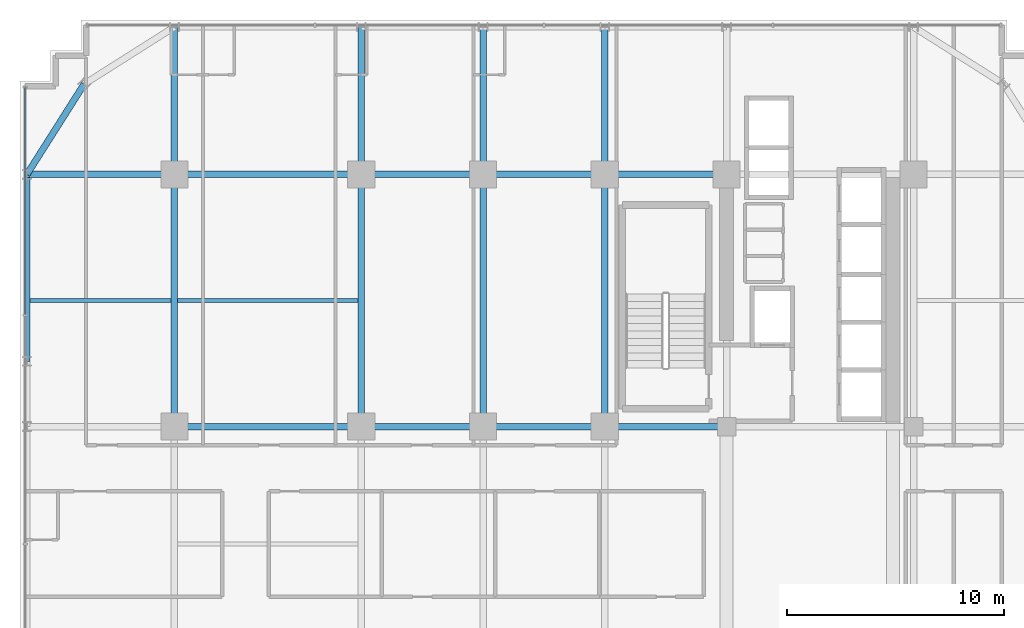
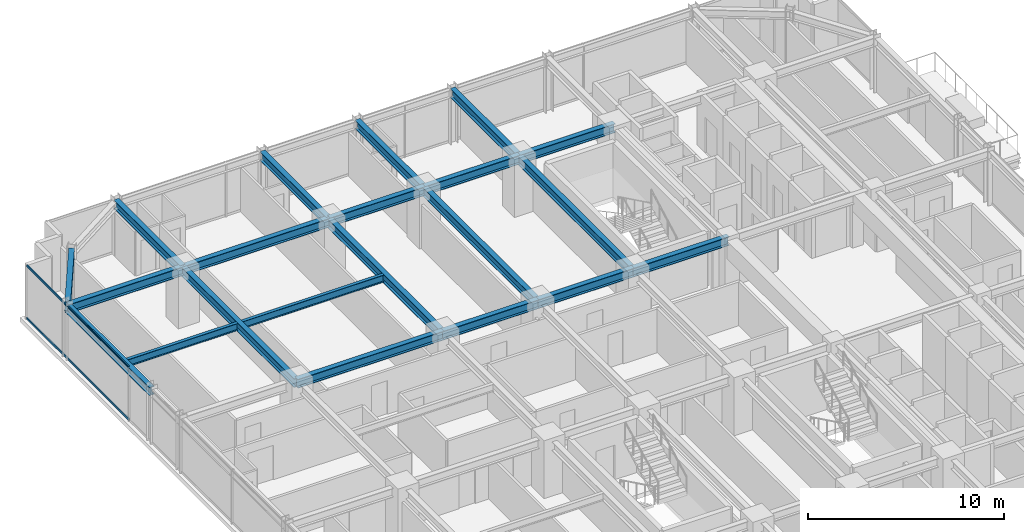
# One storey, part 18 of 33: 21 beams, 2 members, 1 element without a shape of its own.
"""IFC4 building model written with IfcOpenShell, lengths in metres."""

from ifc_helpers import new_model, si_unit, direction, frame, origin, origin_2d, place, context, subcontext, project, spatial, hollow_rectangle, i_section, extrude, source, transform, mapped, material, material_profile, profile_set, type_object, element, aggregate, save


model = new_model("IFC4")

# Units and contexts
model_context = context("Model", 3, precision=1e-05, world=origin(), true_north=direction((0.0, 1.0)))
body_context = subcontext(model_context, "Body", "Model", "MODEL_VIEW")
ifc_project = project(units=[si_unit("LENGTHUNIT", "METRE"), si_unit("AREAUNIT", "SQUARE_METRE"), si_unit("VOLUMEUNIT", "CUBIC_METRE"), si_unit("PLANEANGLEUNIT", "RADIAN"), si_unit("MASSUNIT", "GRAM", prefix="KILO")], contexts=[model_context])

# Site, building, storey
site_placement = place(None, origin())
site = spatial("IfcSite", under=ifc_project, at=site_placement, CompositionType="ELEMENT")
building_placement = place(site_placement, origin())
building = spatial("IfcBuilding", under=site, at=building_placement, Name="Nahalor Promenade Grand Hotel", CompositionType="ELEMENT")
storey_placement = place(building_placement, frame((0.0, 0.0, 132.10009765625)))
storey = spatial("IfcBuildingStorey", under=building, at=storey_placement, Name="L33", CompositionType="ELEMENT", Elevation=132.10009765625)

# Beams
ifc_material_1 = material(Name="Steel S355JR", Category="steel")
ifc_material_profile_1 = material_profile(ifc_material_1, i_section(OverallWidth=0.3, OverallDepth=0.5, WebThickness=0.0145, FlangeThickness=0.028, at=origin_2d()), Name="HEB 500")
ifc_profile_set_1 = profile_set([ifc_material_profile_1], Name="Steel S355JR")
beam_type_1 = type_object("IfcBeamType", Name="Beam-Spandrel-HEB500", PredefinedType="SPANDREL", material=ifc_profile_set_1)
shared_shape_1 = source(origin(), body_context, "Body", "SweptSolid", [
    extrude(i_section(OverallWidth=0.3, OverallDepth=0.5, WebThickness=0.0145, FlangeThickness=0.028, at=origin_2d()), origin(), (0.0, 0.0, 1.0), 8.60009765625),
])
beam_1_placement = place(storey_placement, frame((-23.780029296875, 8.39990234375, 3.1298828125), z_axis=(0.0, 1.0, 0.0), x_axis=(-1.0, 0.0, 0.0)))
element("IfcBeam", 1, at=beam_1_placement, inside=storey, type_object=beam_type_1, Name="BM-L33-SP-W-4", PredefinedType="SPANDREL", context=body_context, shape_type="MappedRepresentation", body=[
    mapped(shared_shape_1, transform((0.0, 0.0, 0.0), scale=1.0)),
])
shared_shape_2 = source(origin(), body_context, "Body", "SweptSolid", [
    extrude(i_section(OverallWidth=0.3, OverallDepth=0.5, WebThickness=0.0145, FlangeThickness=0.028, at=origin_2d()), origin(), (0.0, 0.0, 1.0), 4.9130859375),
])
beam_2_placement = place(storey_placement, frame((-21.14990234375, 21.14990234375, 3.1298828125), z_axis=(-0.535321591403, -0.844648325505, 0.0), x_axis=(0.844648325505, -0.535321591403, 0.0)))
element("IfcBeam", 2, at=beam_2_placement, inside=storey, type_object=beam_type_1, Name="BM-L33-SPC-NW-2", PredefinedType="SPANDREL", context=body_context, shape_type="MappedRepresentation", body=[
    mapped(shared_shape_2, transform((0.0, 0.0, 0.0), scale=1.0)),
])
ifc_material_profile_2 = material_profile(ifc_material_1, i_section(OverallWidth=0.3, OverallDepth=0.55, WebThickness=0.015, FlangeThickness=0.029, at=origin_2d()), Name="HEB 550")
ifc_profile_set_2 = profile_set([ifc_material_profile_2], Name="Steel S355JR")
beam_type_2 = type_object("IfcBeamType", Name="Beam-Girder-HEB550", PredefinedType="BEAM", material=ifc_profile_set_2)
shared_shape_3 = source(origin(), body_context, "Body", "SweptSolid", [
    extrude(i_section(OverallWidth=0.3, OverallDepth=0.55, WebThickness=0.015, FlangeThickness=0.029, at=origin_2d()), origin(), (0.0, 0.0, 1.0), 6.780029296875),
])
for number, where, z_axis, x_axis, name in (
    (3, (-23.780029296875, 17.0, 3.10498046875), (1.0, 0.0, 0.0), (0.0, 1.0, 0.0), "BM-L33-GX-3-0"),
    (4, (-17.0, 17.0, 3.10498046875), (0.0, 1.0, 0.0), (-1.0, 0.0, 0.0), "BM-L33-GY-0-4"),
    (5, (-8.39990234375, 17.0, 3.10498046875), (0.0, 1.0, 0.0), (-1.0, 0.0, 0.0), "BM-L33-GY-1-4"),
    (6, (-2.800048828125, 17.0, 3.10498046875), (0.0, 1.0, 0.0), (-1.0, 0.0, 0.0), "BM-L33-GY-2-4"),
    (7, (2.800048828125, 17.0, 3.10498046875), (0.0, 1.0, 0.0), (-1.0, 0.0, 0.0), "BM-L33-GY-3-4"),
):
    element("IfcBeam", number, at=place(storey_placement, frame(where, z_axis=z_axis, x_axis=x_axis)), inside=storey, type_object=beam_type_2, Name=name, PredefinedType="BEAM", context=body_context, shape_type="MappedRepresentation", body=[
        mapped(shared_shape_3, transform((0.0, 0.0, 0.0), scale=1.0)),
    ])
shared_shape_4 = source(origin(), body_context, "Body", "SweptSolid", [
    extrude(i_section(OverallWidth=0.3, OverallDepth=0.55, WebThickness=0.015, FlangeThickness=0.029, at=origin_2d()), origin(), (0.0, 0.0, 1.0), 8.60009765625),
])
for number, where, z_axis, x_axis, name in (
    (8, (-17.0, 5.39990234375, 3.10498046875), (1.0, 0.0, 0.0), (0.0, 1.0, 0.0), "BM-L33-GX-2-1"),
    (9, (-17.0, 17.0, 3.10498046875), (1.0, 0.0, 0.0), (0.0, 1.0, 0.0), "BM-L33-GX-3-1"),
):
    element("IfcBeam", number, at=place(storey_placement, frame(where, z_axis=z_axis, x_axis=x_axis)), inside=storey, type_object=beam_type_2, Name=name, PredefinedType="BEAM", context=body_context, shape_type="MappedRepresentation", body=[
        mapped(shared_shape_4, transform((0.0, 0.0, 0.0), scale=1.0)),
    ])
shared_shape_5 = source(origin(), body_context, "Body", "SweptSolid", [
    extrude(i_section(OverallWidth=0.3, OverallDepth=0.55, WebThickness=0.015, FlangeThickness=0.029, at=origin_2d()), origin(), (0.0, 0.0, 1.0), 5.599853515625),
])
for number, where, z_axis, x_axis, name in (
    (10, (-8.39990234375, 5.39990234375, 3.10498046875), (1.0, 0.0, 0.0), (0.0, 1.0, 0.0), "BM-L33-GX-2-2"),
    (11, (2.800048828125, 5.39990234375, 3.10498046875), (1.0, 0.0, 0.0), (0.0, 1.0, 0.0), "BM-L33-GX-2-4"),
    (12, (-8.39990234375, 17.0, 3.10498046875), (1.0, 0.0, 0.0), (0.0, 1.0, 0.0), "BM-L33-GX-3-2"),
    (13, (2.800048828125, 17.0, 3.10498046875), (1.0, 0.0, 0.0), (0.0, 1.0, 0.0), "BM-L33-GX-3-4"),
):
    element("IfcBeam", number, at=place(storey_placement, frame(where, z_axis=z_axis, x_axis=x_axis)), inside=storey, type_object=beam_type_2, Name=name, PredefinedType="BEAM", context=body_context, shape_type="MappedRepresentation", body=[
        mapped(shared_shape_5, transform((0.0, 0.0, 0.0), scale=1.0)),
    ])
shared_shape_6 = source(origin(), body_context, "Body", "SweptSolid", [
    extrude(i_section(OverallWidth=0.3, OverallDepth=0.55, WebThickness=0.015, FlangeThickness=0.029, at=origin_2d()), origin(), (0.0, 0.0, 1.0), 5.60009765625),
])
for number, where, z_axis, x_axis, name in (
    (14, (-2.800048828125, 5.39990234375, 3.10498046875), (1.0, 0.0, 0.0), (0.0, 1.0, 0.0), "BM-L33-GX-2-3"),
    (15, (-2.800048828125, 17.0, 3.10498046875), (1.0, 0.0, 0.0), (0.0, 1.0, 0.0), "BM-L33-GX-3-3"),
):
    element("IfcBeam", number, at=place(storey_placement, frame(where, z_axis=z_axis, x_axis=x_axis)), inside=storey, type_object=beam_type_2, Name=name, PredefinedType="BEAM", context=body_context, shape_type="MappedRepresentation", body=[
        mapped(shared_shape_6, transform((0.0, 0.0, 0.0), scale=1.0)),
    ])
shared_shape_7 = source(origin(), body_context, "Body", "SweptSolid", [
    extrude(i_section(OverallWidth=0.3, OverallDepth=0.55, WebThickness=0.015, FlangeThickness=0.029, at=origin_2d()), origin(), (0.0, 0.0, 1.0), 11.60009765625),
])
for number, where, z_axis, x_axis, name in (
    (16, (-17.0, 5.39990234375, 3.10498046875), (0.0, 1.0, 0.0), (-1.0, 0.0, 0.0), "BM-L33-GY-0-3"),
    (17, (-8.39990234375, 5.39990234375, 3.10498046875), (0.0, 1.0, 0.0), (-1.0, 0.0, 0.0), "BM-L33-GY-1-3"),
    (18, (-2.800048828125, 5.39990234375, 3.10498046875), (0.0, 1.0, 0.0), (-1.0, 0.0, 0.0), "BM-L33-GY-2-3"),
    (19, (2.800048828125, 5.39990234375, 3.10498046875), (0.0, 1.0, 0.0), (-1.0, 0.0, 0.0), "BM-L33-GY-3-3"),
):
    element("IfcBeam", number, at=place(storey_placement, frame(where, z_axis=z_axis, x_axis=x_axis)), inside=storey, type_object=beam_type_2, Name=name, PredefinedType="BEAM", context=body_context, shape_type="MappedRepresentation", body=[
        mapped(shared_shape_7, transform((0.0, 0.0, 0.0), scale=1.0)),
    ])
ifc_material_profile_3 = material_profile(ifc_material_1, i_section(OverallWidth=0.19, OverallDepth=0.45, WebThickness=0.0094, FlangeThickness=0.0146, at=origin_2d()), Name="IPE 450")
ifc_profile_set_3 = profile_set([ifc_material_profile_3], Name="Steel S355JR")
beam_type_3 = type_object("IfcBeamType", Name="Beam-Joist-IPE450", PredefinedType="JOIST", material=ifc_profile_set_3)
shared_shape_8 = source(origin(), body_context, "Body", "SweptSolid", [
    extrude(i_section(OverallWidth=0.19, OverallDepth=0.45, WebThickness=0.0094, FlangeThickness=0.0146, at=origin_2d()), origin(), (0.0, 0.0, 1.0), 6.47998046875),
])
beam_3_placement = place(storey_placement, frame((-23.6298828125, 11.199951171875, 3.15478515625), z_axis=(1.0, 0.0, 0.0), x_axis=(0.0, 1.0, 0.0)))
element("IfcBeam", 20, at=beam_3_placement, inside=storey, type_object=beam_type_3, Name="BM-L33-JSW-1-0", PredefinedType="JOIST", context=body_context, shape_type="MappedRepresentation", body=[
    mapped(shared_shape_8, transform((0.0, 0.0, 0.0), scale=1.0)),
])
shared_shape_9 = source(origin(), body_context, "Body", "SweptSolid", [
    extrude(i_section(OverallWidth=0.19, OverallDepth=0.45, WebThickness=0.0094, FlangeThickness=0.0146, at=origin_2d()), origin(), (0.0, 0.0, 1.0), 8.300048828125),
])
beam_4_placement = place(storey_placement, frame((-16.85009765625, 11.199951171875, 3.15478515625), z_axis=(1.0, 0.0, 0.0), x_axis=(0.0, 1.0, 0.0)))
element("IfcBeam", 21, at=beam_4_placement, inside=storey, type_object=beam_type_3, Name="BM-L33-JSW-1-1", PredefinedType="JOIST", context=body_context, shape_type="MappedRepresentation", body=[
    mapped(shared_shape_9, transform((0.0, 0.0, 0.0), scale=1.0)),
])

# Curtain wall, members
ifc_material_2 = material(Name="Anodised Bronze Aluminium EN AW-6063 T6", Category="aluminium")
curtain_wall_type = type_object("IfcCurtainWallType", Name="CW2 Typical Hotel Flush Bronze Unitised Curtain Wall", PredefinedType="USERDEFINED", material=ifc_material_2)
curtain_wall_placement = place(storey_placement, origin())
curtain_wall = element("IfcCurtainWall", 22, at=curtain_wall_placement, inside=storey, type_object=curtain_wall_type, Name="L33 Curtain Wall CW-L33-W-1", ObjectType="UNITISED_CURTAIN_WALL", PredefinedType="USERDEFINED")
ifc_material_profile_4 = material_profile(ifc_material_2, hollow_rectangle(XDim=0.065, YDim=0.13, WallThickness=0.004, at=origin_2d()), Name="CWT 65x130x4")
ifc_profile_set_4 = profile_set([ifc_material_profile_4], Name="Anodised Bronze Aluminium EN AW-6063 T6")
member_type = type_object("IfcMemberType", Name="CWT2 Typical Bronze Transom 65x130", PredefinedType="USERDEFINED", material=ifc_profile_set_4)
shared_shape_10 = source(origin(), body_context, "Body", "SweptSolid", [
    extrude(hollow_rectangle(XDim=0.065, YDim=0.13, WallThickness=0.004, at=origin_2d()), origin(), (0.0, 0.0, 1.0), 10.4326171875),
])
member_1_placement = place(storey_placement, frame((-23.860107421875, 10.5625, 0.06494140625), z_axis=(0.0, 1.0, 0.0), x_axis=(-1.0, 0.0, 0.0)))
member_1 = element("IfcMember", 23, at=member_1_placement, type_object=member_type, Name="CW-L33-W-1 Transom 3-0", ObjectType="TRANSOM", PredefinedType="USERDEFINED", context=body_context, shape_type="MappedRepresentation", body=[
    mapped(shared_shape_10, transform((0.0, 0.0, 0.0), scale=1.0)),
])
member_2_placement = place(storey_placement, frame((-23.860107421875, 10.5625, 3.31494140625), z_axis=(0.0, 1.0, 0.0), x_axis=(-1.0, 0.0, 0.0)))
member_2 = element("IfcMember", 24, at=member_2_placement, type_object=member_type, Name="CW-L33-W-1 Transom 3-1", ObjectType="TRANSOM", PredefinedType="USERDEFINED", context=body_context, shape_type="MappedRepresentation", body=[
    mapped(shared_shape_10, transform((0.0, 0.0, 0.0), scale=1.0)),
])
aggregate(curtain_wall, [member_1, member_2])

save(model, "model.ifc")
